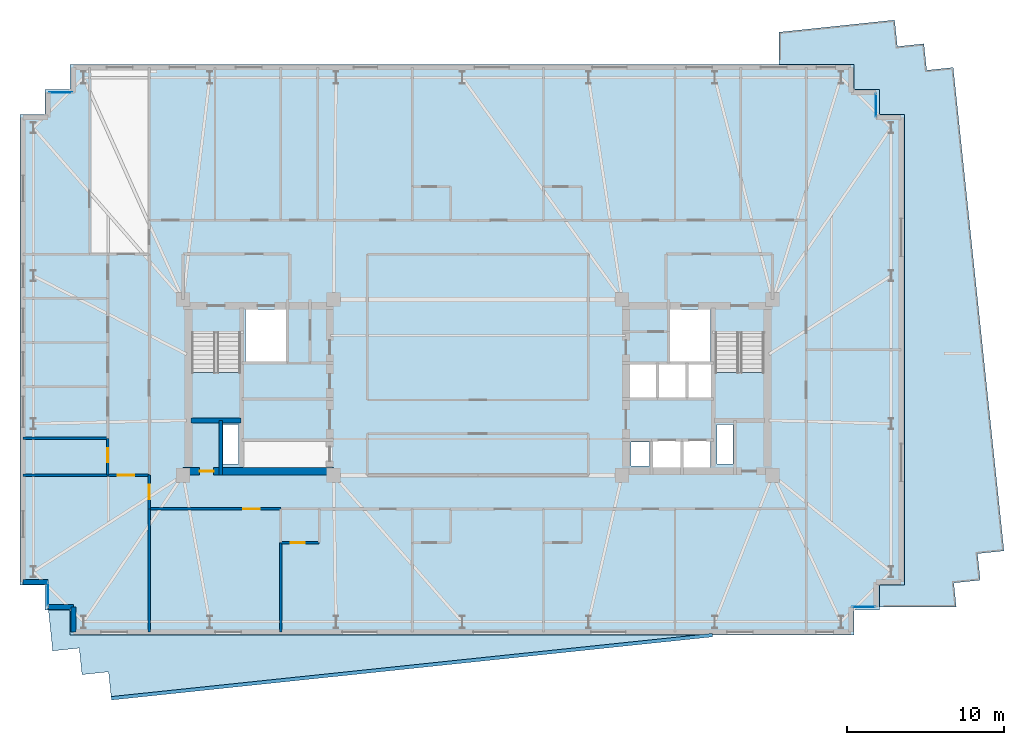
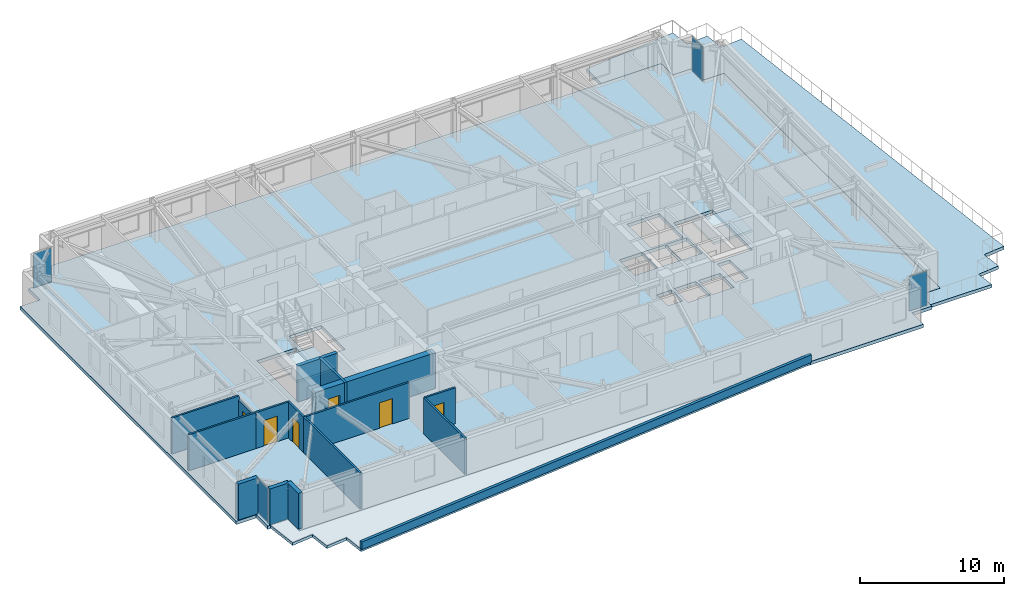
# One storey, part 10 of 19: 16 walls, 6 doors, 5 slabs, 4 plates, 6 openings, 6 elements without a shape of their own.
"""IFC4 building model written with IfcOpenShell, lengths in metres."""

import ifcopenshell
import ifcopenshell.guid

model = None  # the IFC model being written
_history = None  # IfcOwnerHistory: only IFC2X3 demands one
_inside = {}  # id of a spatial element -> (the spatial element, [elements in it])
_under = {}  # id of a project, library or spatial element -> (it, [spatial elements below it])
_declared = {}  # id of a project -> (the project, [libraries it declares])
_typed = {}  # id of a type object -> (the type object, [elements of that type])
_made_of = {}  # id of a material, layer set ... -> (it, [elements and type objects made of it])


def new_model(schema):
    """Start an empty IFC model of exactly this schema.

    Asked for "IFC4X3", IfcOpenShell would pick the latest addendum, in which some entities
    have other attributes; the version numbers below select the first issue.
    IFC2X3 requires an IfcOwnerHistory on every rooted entity: one is made here for all.
    """
    global model, _history
    if schema == "IFC4X3":
        model = ifcopenshell.file(schema_version=(4, 3, 0, 0))
    else:
        model = ifcopenshell.file(schema=schema)
    _inside.clear()
    _under.clear()
    _declared.clear()
    _typed.clear()
    _made_of.clear()
    _history = None
    if model.schema == "IFC2X3":
        org = make("IfcOrganization", Name="unknown")
        user = make(
            "IfcPersonAndOrganization",
            ThePerson=make("IfcPerson", FamilyName="unknown"),
            TheOrganization=org,
        )
        app = make(
            "IfcApplication",
            ApplicationDeveloper=org,
            Version="unknown",
            ApplicationFullName="unknown",
            ApplicationIdentifier="unknown",
        )
        _history = make(
            "IfcOwnerHistory",
            OwningUser=user,
            OwningApplication=app,
            ChangeAction="ADDED",
            CreationDate=0,
        )
    return model


def make(cls, **values):
    """One entity of the class cls with the attributes given. An attribute that is None is left unset."""
    return model.create_entity(
        cls, **{name: value for name, value in values.items() if value is not None}
    )


def rooted(cls, **values):
    """An entity with a GlobalId (a new one), such as an element, a storey or a relation."""
    return make(cls, GlobalId=ifcopenshell.guid.new(), OwnerHistory=_history, **values)


def si_unit(unit_type, name, prefix=None):
    """IfcSIUnit, for example si_unit("LENGTHUNIT", "METRE", prefix="MILLI")."""
    return make("IfcSIUnit", UnitType=unit_type, Prefix=prefix, Name=name)


def assignment(units):
    """IfcUnitAssignment: the units of a project."""
    return None if units is None else make("IfcUnitAssignment", Units=units)


def point(xyz):
    """IfcCartesianPoint."""
    return None if xyz is None else make("IfcCartesianPoint", Coordinates=xyz)


def direction(xyz):
    """IfcDirection."""
    return None if xyz is None else make("IfcDirection", DirectionRatios=xyz)


def frame(location, z_axis=None, x_axis=None):
    """IfcAxis2Placement3D, a coordinate frame: its origin and axes. An axis left out is left unset."""
    return make(
        "IfcAxis2Placement3D",
        Location=point(location),
        Axis=direction(z_axis),
        RefDirection=direction(x_axis),
    )


def frame_2d(location, x_axis=None):
    """IfcAxis2Placement2D, a coordinate frame in the plane: its origin and x axis."""
    return make(
        "IfcAxis2Placement2D", Location=point(location), RefDirection=direction(x_axis)
    )


def origin():
    """The frame at (0, 0, 0) with its axes left unset."""
    return frame((0.0, 0.0, 0.0))


def origin_2d():
    """The frame at (0, 0) in the plane with its x axis left unset."""
    return frame_2d((0.0, 0.0))


def place(relative_to, where):
    """IfcLocalPlacement: puts the frame where relative to a parent placement (None: the world)."""
    return make(
        "IfcLocalPlacement", PlacementRelTo=relative_to, RelativePlacement=where
    )


def context(
    kind, dimensions, precision=None, world=None, true_north=None, identifier=None
):
    """IfcGeometricRepresentationContext, for example the 3D "Model" context."""
    return make(
        "IfcGeometricRepresentationContext",
        ContextIdentifier=identifier,
        ContextType=kind,
        CoordinateSpaceDimension=dimensions,
        Precision=precision,
        WorldCoordinateSystem=world,
        TrueNorth=true_north,
    )


def subcontext(parent, identifier, kind, view, scale=None):
    """IfcGeometricRepresentationSubContext, for example "Body" below "Model"."""
    return make(
        "IfcGeometricRepresentationSubContext",
        ContextIdentifier=identifier,
        ContextType=kind,
        ParentContext=parent,
        TargetScale=scale,
        TargetView=view,
    )


def project(units=None, contexts=None):
    """IfcProject with its units and contexts."""
    return rooted(
        "IfcProject",
        Name="project",
        RepresentationContexts=contexts,
        UnitsInContext=assignment(units),
    )


def spatial(cls, under=None, at=None, **own):
    """A site, building, storey or space (cls), placed at a placement, below another one or the project."""
    s = rooted(cls, ObjectPlacement=at, **own)
    if under is not None:
        _under.setdefault(under.id(), (under, []))[1].append(s)
    return s


def polyline(points):
    """IfcPolyline through the points."""
    return make("IfcPolyline", Points=[point(p) for p in points])


def profile(cls, at=None, kind="AREA", **sizes):
    """A parametric profile (cls). Its sizes go by their IFC names, for example OverallWidth=200.0."""
    return make(cls, ProfileType=kind, Position=at, **sizes)


def rectangle(**sizes):
    """IfcRectangleProfileDef."""
    return profile("IfcRectangleProfileDef", **sizes)


def outline(outer, holes=None, kind="AREA"):
    """IfcArbitraryClosedProfileDef: a profile drawn as a closed curve; with holes, ...WithVoids."""
    if holes is None:
        return make("IfcArbitraryClosedProfileDef", ProfileType=kind, OuterCurve=outer)
    return make(
        "IfcArbitraryProfileDefWithVoids",
        ProfileType=kind,
        OuterCurve=outer,
        InnerCurves=holes,
    )


def extrude(swept, where, along, depth):
    """IfcExtrudedAreaSolid: the profile swept, set in the frame where, extruded along a direction by depth."""
    return make(
        "IfcExtrudedAreaSolid",
        SweptArea=swept,
        Position=where,
        ExtrudedDirection=direction(along),
        Depth=depth,
    )


def shape(context_of_items, identifier, shape_type, items):
    """IfcShapeRepresentation: the items that make up one representation, for example the "Body"."""
    return make(
        "IfcShapeRepresentation",
        ContextOfItems=context_of_items,
        RepresentationIdentifier=identifier,
        RepresentationType=shape_type,
        Items=items,
    )


def material(Name=None, Category=None):
    """IfcMaterial."""
    return make("IfcMaterial", Name=Name, Category=Category)


def layer(
    of_material, thickness, ventilated=None, Name=None, Category=None, Priority=None
):
    """IfcMaterialLayer: one layer of a wall or slab, of a material (None: an air gap)."""
    return make(
        "IfcMaterialLayer",
        Material=of_material,
        LayerThickness=thickness,
        IsVentilated=ventilated,
        Name=Name,
        Category=Category,
        Priority=Priority,
    )


def layer_set(layers, Name=None):
    """IfcMaterialLayerSet."""
    return make("IfcMaterialLayerSet", MaterialLayers=layers, LayerSetName=Name)


def made_of(thing, what):
    """Note that an element or type object is made of a material, layer set ...; save() writes the relation."""
    if what is not None:
        _made_of.setdefault(what.id(), (what, []))[1].append(thing)
    return thing


def type_object(cls, material=None, **own):
    """A type object (cls), such as IfcWallType, which elements share."""
    return made_of(rooted(cls, **own), material)


def element(
    cls,
    number,
    at=None,
    inside=None,
    cuts=None,
    type_object=None,
    material=None,
    context=None,
    identifier="Body",
    shape_type=None,
    held_by="IfcProductDefinitionShape",
    body=None,
    shapes=None,
    **own,
):
    """One element of the class cls, such as IfcWall. Its Tag is "e" and its number.

    at: its placement. inside: the storey or other place that contains it. cuts: it is an
    opening in that element (IfcRelVoidsElement). A single representation is given by context,
    identifier, shape_type and body (its items); several are given by shapes. held_by: the class
    of the entity that holds the representations. save() writes the other relations.
    """
    e = rooted(cls, Tag="e%d" % number, ObjectPlacement=at, **own)
    if body is not None:
        shapes = [shape(context, identifier, shape_type, body)]
    if shapes is not None:
        e.Representation = make(held_by, Representations=shapes)
    if inside is not None:
        _inside.setdefault(inside.id(), (inside, []))[1].append(e)
    if cuts is not None:
        rooted(
            "IfcRelVoidsElement", RelatingBuildingElement=cuts, RelatedOpeningElement=e
        )
    if type_object is not None:
        _typed.setdefault(type_object.id(), (type_object, []))[1].append(e)
    return made_of(e, material)


def fill(opening, filler):
    """IfcRelFillsElement: the door or window that sits in an opening."""
    return rooted(
        "IfcRelFillsElement",
        RelatingOpeningElement=opening,
        RelatedBuildingElement=filler,
    )


def aggregate(whole, parts):
    """IfcRelAggregates: a whole, such as a stair, and the parts it consists of."""
    return rooted("IfcRelAggregates", RelatingObject=whole, RelatedObjects=parts)


def save(model, path):
    """Write the relations noted so far, then the file.

    IfcRelAggregates (storeys below a building ...), IfcRelContainedInSpatialStructure (elements
    in a storey), IfcRelDefinesByType, IfcRelAssociatesMaterial and IfcRelDeclares: one each for
    every whole, place, type object, material and project.
    """
    for whole, parts in _under.values():
        aggregate(whole, parts)
    for where, things in _inside.values():
        rooted(
            "IfcRelContainedInSpatialStructure",
            RelatedElements=things,
            RelatingStructure=where,
        )
    for kind, things in _typed.values():
        rooted("IfcRelDefinesByType", RelatedObjects=things, RelatingType=kind)
    for what, things in _made_of.values():
        rooted("IfcRelAssociatesMaterial", RelatedObjects=things, RelatingMaterial=what)
    for by, libraries in _declared.values():
        rooted("IfcRelDeclares", RelatingContext=by, RelatedDefinitions=libraries)
    model.write(path)


model = new_model("IFC4")

# Units and contexts
model_context = context("Model", 3, precision=1e-05, world=origin(), true_north=direction((0.0, 1.0)))
body_context = subcontext(model_context, "Body", "Model", "MODEL_VIEW")
ifc_project = project(units=[si_unit("LENGTHUNIT", "METRE"), si_unit("AREAUNIT", "SQUARE_METRE"), si_unit("VOLUMEUNIT", "CUBIC_METRE"), si_unit("PLANEANGLEUNIT", "RADIAN"), si_unit("MASSUNIT", "GRAM", prefix="KILO")], contexts=[model_context])

# Site, building, storey
site_placement = place(None, origin())
site = spatial("IfcSite", under=ifc_project, at=site_placement, CompositionType="ELEMENT")
building_placement = place(site_placement, origin())
building = spatial("IfcBuilding", under=site, at=building_placement, Name="Qobustan Lattice House", CompositionType="ELEMENT")
storey_placement = place(building_placement, frame((0.0, 0.0, 131.0)))
storey = spatial("IfcBuildingStorey", under=building, at=storey_placement, Name="L36", CompositionType="ELEMENT", Elevation=131.0)

# Curtain wall, plate
ifc_material_1 = material(Name="Anodised aluminium and low-E glazing", Category="aluminium")
ifc_layer_1 = layer(ifc_material_1, 0.219970703125)
ifc_layer_set_1 = layer_set([ifc_layer_1], Name="Anodised aluminium and low-E glazing")
curtain_wall_type = type_object("IfcCurtainWallType", Name="CW-FAC-02", PredefinedType="USERDEFINED", material=ifc_layer_set_1)
curtain_wall_1_placement = place(storey_placement, origin())
curtain_wall_1 = element("IfcCurtainWall", 1, at=curtain_wall_1_placement, inside=storey, type_object=curtain_wall_type, Name="L36 serrated corner faceted glazing 3", ObjectType="CURTAIN WALL", PredefinedType="USERDEFINED")
ifc_material_2 = material(Name="Clear low-E laminated glass", Category="glass")
ifc_layer_2 = layer(ifc_material_2, 0.031982421875)
ifc_layer_set_2 = layer_set([ifc_layer_2], Name="Clear low-E laminated glass")
plate_type = type_object("IfcPlateType", Name="CWP-VISION-32", PredefinedType="CURTAIN_PANEL", material=ifc_layer_set_2)
plate_1_placement = place(storey_placement, frame((-27.39990234375, -13.199951171875, 0.06494140625), z_axis=(0.0, 0.0, 1.0), x_axis=(0.0, 1.0, 0.0)))
plate_1 = element("IfcPlate", 2, at=plate_1_placement, type_object=plate_type, Name="CW-F2 panel 1.1", PredefinedType="CURTAIN_PANEL", context=body_context, shape_type="SweptSolid", body=[
    extrude(rectangle(XDim=1.4599609375, YDim=0.031982421875, at=origin_2d()), origin(), (0.0, 0.0, 1.0), 2.909912109375),
])
aggregate(curtain_wall_1, [plate_1])

curtain_wall_2_placement = place(storey_placement, origin())
curtain_wall_2 = element("IfcCurtainWall", 3, at=curtain_wall_2_placement, inside=storey, type_object=curtain_wall_type, Name="L36 serrated corner faceted glazing 8", ObjectType="CURTAIN WALL", PredefinedType="USERDEFINED")
plate_2_placement = place(storey_placement, frame((-26.60009765625, 18.800048828125, 0.06494140625), z_axis=(0.0, 0.0, 1.0), x_axis=(1.0, 0.0, 0.0)))
plate_2 = element("IfcPlate", 4, at=plate_2_placement, type_object=plate_type, Name="CW-F2 panel 1.1", PredefinedType="CURTAIN_PANEL", context=body_context, shape_type="SweptSolid", body=[
    extrude(rectangle(XDim=1.4599609375, YDim=0.031982421875, at=origin_2d()), origin(), (0.0, 0.0, 1.0), 2.909912109375),
])
aggregate(curtain_wall_2, [plate_2])

curtain_wall_3_placement = place(storey_placement, origin())
curtain_wall_3 = element("IfcCurtainWall", 5, at=curtain_wall_3_placement, inside=storey, type_object=curtain_wall_type, Name="L36 serrated corner faceted glazing 13", ObjectType="CURTAIN WALL", PredefinedType="USERDEFINED")
plate_3_placement = place(storey_placement, frame((25.39990234375, 18.0, 0.06494140625), z_axis=(0.0, 0.0, 1.0), x_axis=(0.0, -1.0, 0.0)))
plate_3 = element("IfcPlate", 6, at=plate_3_placement, type_object=plate_type, Name="CW-F2 panel 1.1", PredefinedType="CURTAIN_PANEL", context=body_context, shape_type="SweptSolid", body=[
    extrude(rectangle(XDim=1.4599609375, YDim=0.031982421875, at=origin_2d()), origin(), (0.0, 0.0, 1.0), 2.909912109375),
])
aggregate(curtain_wall_3, [plate_3])

curtain_wall_4_placement = place(storey_placement, origin())
curtain_wall_4 = element("IfcCurtainWall", 7, at=curtain_wall_4_placement, inside=storey, type_object=curtain_wall_type, Name="L36 serrated corner faceted glazing 18", ObjectType="CURTAIN WALL", PredefinedType="USERDEFINED")
plate_4_placement = place(storey_placement, frame((24.60009765625, -14.0, 0.06494140625), z_axis=(0.0, 0.0, 1.0), x_axis=(-1.0, 0.0, 0.0)))
plate_4 = element("IfcPlate", 8, at=plate_4_placement, type_object=plate_type, Name="CW-F2 panel 1.1", PredefinedType="CURTAIN_PANEL", context=body_context, shape_type="SweptSolid", body=[
    extrude(rectangle(XDim=1.4599609375, YDim=0.031982421875, at=origin_2d()), origin(), (0.0, 0.0, 1.0), 2.909912109375),
])
aggregate(curtain_wall_4, [plate_4])

# Slab
ifc_material_3 = material(Name="Concrete C45/55", Category="concrete")
ifc_layer_3 = layer(ifc_material_3, 0.280029296875)
ifc_layer_set_3 = layer_set([ifc_layer_3], Name="Concrete C45/55")
slab_type_1 = type_object("IfcSlabType", Name="SLB-FLR-280", PredefinedType="FLOOR", material=ifc_layer_set_3)
slab_1_placement = place(storey_placement, frame((0.0, 0.0, -0.280029296875)))
element("IfcSlab", 9, at=slab_1_placement, inside=storey, type_object=slab_type_1, Name="L36 structural floor slab", PredefinedType="FLOOR", context=body_context, shape_type="SweptSolid", body=[
    extrude(outline(polyline([(-26.0, -15.800048828125), (24.0, -15.800048828125), (24.0, -14.199951171875), (25.60009765625, -14.199951171875), (25.60009765625, -12.60009765625), (27.199951171875, -12.60009765625), (27.199951171875, 17.39990234375), (25.60009765625, 17.39990234375), (25.60009765625, 19.0), (24.0, 19.0), (24.0, 20.60009765625), (-26.0, 20.60009765625), (-26.0, 19.0), (-27.60009765625, 19.0), (-27.60009765625, 17.39990234375), (-29.199951171875, 17.39990234375), (-29.199951171875, -12.60009765625), (-27.60009765625, -12.60009765625), (-27.60009765625, -14.199951171875), (-26.0, -14.199951171875), (-26.0, -15.800048828125)]), holes=[polyline([(-18.25, -2.050048828125), (-18.25, 3.489990234375), (-15.1298828125, 3.489990234375), (-15.1298828125, -2.050048828125), (-18.25, -2.050048828125)]), polyline([(15.1298828125, -2.050048828125), (15.1298828125, 3.489990234375), (18.25, 3.489990234375), (18.25, -2.050048828125), (15.1298828125, -2.050048828125)]), polyline([(-14.820068359375, 1.64990234375), (-14.820068359375, 4.9599609375), (-12.25, 4.9599609375), (-12.25, 1.64990234375), (-14.820068359375, 1.64990234375)]), polyline([(12.25, 1.64990234375), (12.25, 4.9599609375), (14.820068359375, 4.9599609375), (14.820068359375, 1.64990234375), (12.25, 1.64990234375)]), polyline([(-16.260009765625, -4.8798828125), (-16.260009765625, -2.360107421875), (-15.260009765625, -2.360107421875), (-15.260009765625, -4.8798828125), (-16.260009765625, -4.8798828125)]), polyline([(15.260009765625, -4.8798828125), (15.260009765625, -2.360107421875), (16.260009765625, -2.360107421875), (16.260009765625, -4.8798828125), (15.260009765625, -4.8798828125)]), polyline([(11.179931640625, -5.35009765625), (11.179931640625, -3.419921875), (12.919921875, -3.419921875), (12.919921875, -5.35009765625), (11.179931640625, -5.35009765625)]), polyline([(13.1201171875, -5.35009765625), (13.1201171875, -3.419921875), (14.85009765625, -3.419921875), (14.85009765625, -5.35009765625), (13.1201171875, -5.35009765625)]), polyline([(9.760009765625, -5.0), (9.760009765625, -3.47998046875), (10.93994140625, -3.47998046875), (10.93994140625, -5.0), (9.760009765625, -5.0)]), polyline([(13.360107421875, -0.679931640625), (13.360107421875, 1.47998046875), (14.97998046875, 1.47998046875), (14.97998046875, -0.679931640625), (13.360107421875, -0.679931640625)]), polyline([(9.6201171875, -0.679931640625), (9.6201171875, 1.47998046875), (11.43994140625, 1.47998046875), (11.43994140625, -0.679931640625), (9.6201171875, -0.679931640625)]), polyline([(11.5, -0.679931640625), (11.5, 1.47998046875), (13.320068359375, 1.47998046875), (13.320068359375, -0.679931640625), (11.5, -0.679931640625)])]), origin(), (0.0, 0.0, 1.0), 0.280029296875),
])

# Stair, slab
ifc_material_4 = material(Name="Concrete C40/50", Category="concrete")
stair_type = type_object("IfcStairType", Name="STR-CORE-DOGLEG", PredefinedType="HALF_TURN_STAIR", material=ifc_material_4)
stair_1_placement = place(storey_placement, origin())
stair_1 = element("IfcStair", 10, at=stair_1_placement, inside=storey, type_object=stair_type, Name="L36 West protected exit stair ST-W1", PredefinedType="HALF_TURN_STAIR")
ifc_material_5 = material(Name="Concrete C40/50", Category="concrete")
ifc_layer_4 = layer(ifc_material_5, 0.199951171875)
ifc_layer_set_4 = layer_set([ifc_layer_4], Name="Concrete C40/50")
slab_type_2 = type_object("IfcSlabType", Name="SLB-LANDING-200", PredefinedType="LANDING", material=ifc_layer_set_4)
slab_2_placement = place(storey_placement, frame((0.0, 0.0, 1.47509765625)))
slab_2 = element("IfcSlab", 11, at=slab_2_placement, type_object=slab_type_2, Name="ST-W1 landing 1", PredefinedType="LANDING", context=body_context, shape_type="SweptSolid", body=[
    extrude(outline(polyline([(-18.25, 0.93505859375), (-18.25, -2.050048828125), (-15.1298828125, -2.050048828125), (-15.1298828125, 0.93505859375), (-18.25, 0.93505859375)])), origin(), (0.0, 0.0, 1.0), 0.199951171875),
])
aggregate(stair_1, [slab_2])

stair_2_placement = place(storey_placement, origin())
stair_2 = element("IfcStair", 12, at=stair_2_placement, inside=storey, type_object=stair_type, Name="L36 East protected exit stair ST-E1", PredefinedType="HALF_TURN_STAIR")
slab_3_placement = place(storey_placement, frame((0.0, 0.0, 1.47509765625)))
slab_3 = element("IfcSlab", 13, at=slab_3_placement, type_object=slab_type_2, Name="ST-E1 landing 1", PredefinedType="LANDING", context=body_context, shape_type="SweptSolid", body=[
    extrude(outline(polyline([(15.1298828125, 0.93505859375), (15.1298828125, -2.050048828125), (18.25, -2.050048828125), (18.25, 0.93505859375), (15.1298828125, 0.93505859375)])), origin(), (0.0, 0.0, 1.0), 0.199951171875),
])
aggregate(stair_2, [slab_3])

# Slabs
ifc_material_6 = material(Name="Concrete C40/50", Category="concrete")
ifc_layer_5 = layer(ifc_material_6, 0.239990234375)
ifc_layer_set_5 = layer_set([ifc_layer_5], Name="Concrete C40/50")
slab_type_3 = type_object("IfcSlabType", Name="SLB-ROOF-240", PredefinedType="ROOF", material=ifc_layer_set_5)
slab_4_placement = place(storey_placement, frame((0.0, 0.0, -0.239990234375)))
element("IfcSlab", 14, at=slab_4_placement, inside=storey, type_object=slab_type_3, Name="L36 setback maintenance roof slab 1", PredefinedType="ROOF", context=body_context, shape_type="SweptSolid", body=[
    extrude(outline(polyline([(-23.3759765625, -19.8291015625), (14.958984375, -15.800048828125), (-26.0, -15.800048828125), (-26.0, -14.199951171875), (-27.38623046875, -14.199951171875), (-27.11279296875, -16.80322265625), (-25.422119140625, -16.62548828125), (-25.244384765625, -18.316162109375), (-23.5537109375, -18.138427734375), (-23.3759765625, -19.8291015625)])), origin(), (0.0, 0.0, 1.0), 0.239990234375),
])
ifc_material_7 = material(Name="Concrete C40/50", Category="concrete")
ifc_layer_6 = layer(ifc_material_7, 0.27001953125)
ifc_layer_set_6 = layer_set([ifc_layer_6], Name="Concrete C40/50")
slab_type_4 = type_object("IfcSlabType", Name="SLB-TER-270", PredefinedType="FLOOR", material=ifc_layer_set_6)
slab_5_placement = place(storey_placement, frame((0.0, 0.0, -0.27001953125)))
element("IfcSlab", 15, at=slab_5_placement, inside=storey, type_object=slab_type_4, Name="L36 SE planted spiral terrace slab", PredefinedType="FLOOR", context=body_context, shape_type="SweptSolid", body=[
    extrude(outline(polyline([(26.575927734375, 23.42919921875), (19.199951171875, 22.65380859375), (19.199951171875, 20.60009765625), (24.0, 20.60009765625), (24.0, 19.0), (25.60009765625, 19.0), (25.60009765625, 17.39990234375), (27.199951171875, 17.39990234375), (27.199951171875, -12.60009765625), (25.60009765625, -12.60009765625), (25.60009765625, -14.0), (30.510009765625, -14.0), (30.349365234375, -12.47314453125), (32.0400390625, -12.29541015625), (31.8623046875, -10.604736328125), (33.552978515625, -10.427001953125), (30.312744140625, 20.4033203125), (28.6220703125, 20.2255859375), (28.4443359375, 21.916259765625), (26.753662109375, 21.738525390625), (26.575927734375, 23.42919921875)])), origin(), (0.0, 0.0, 1.0), 0.27001953125),
])

# Wall, opening, door
ifc_material_8 = material(Name="Concrete C50/60", Category="concrete")
ifc_layer_7 = layer(ifc_material_8, 0.5)
ifc_layer_set_7 = layer_set([ifc_layer_7], Name="Concrete C50/60")
wall_type_1 = type_object("IfcWallType", Name="WAL-CORE-500", PredefinedType="SHEAR", material=ifc_layer_set_7)
wall_1_placement = place(storey_placement, frame((-18.800048828125, -5.35009765625, 0.0), z_axis=(0.0, 0.0, 1.0), x_axis=(1.0, 0.0, 0.0)))
wall_1 = element("IfcWall", 16, at=wall_1_placement, inside=storey, type_object=wall_type_1, Name="L36 split-core shear wall CW-S", PredefinedType="SHEAR", context=body_context, shape_type="SweptSolid", body=[
    extrude(rectangle(XDim=9.60009765625, YDim=0.5, at=frame_2d((4.800048828125, 0.0))), origin(), (0.0, 0.0, 1.0), 3.0400390625),
])
opening_1_placement = place(wall_1_placement, frame((1.050048828125, 0.0, 0.0)))
opening_1 = element("IfcOpeningElement", 17, at=opening_1_placement, cuts=wall_1, Name="Opening RD-01", PredefinedType="OPENING", context=body_context, shape_type="SweptSolid", body=[
    extrude(rectangle(XDim=0.89990234375, YDim=2.10009765625, at=frame_2d((0.449951171875, 1.050048828125))), frame((0.0, 0.260009765625, 0.0), z_axis=(0.0, -1.0, 0.0), x_axis=(1.0, 0.0, 0.0)), (0.0, 0.0, 1.0), 0.52001953125),
])
ifc_material_9 = material(Name="Persian walnut timber and steel frame door", Category="steel")
door_type_1 = type_object("IfcDoorType", Name="DOR-RISER-FD-900x2100", OperationType="NOTDEFINED", PredefinedType="DOOR", material=ifc_material_9)
door_1_placement = place(opening_1_placement, origin())
door_1 = element("IfcDoor", 18, at=door_1_placement, inside=storey, type_object=door_type_1, Name="L36 core service riser access door W", OperationType="SINGLE_SWING_RIGHT", OverallHeight=2.10009765625, OverallWidth=0.89990234375, PredefinedType="DOOR", context=body_context, shape_type="SweptSolid", body=[
    extrude(rectangle(XDim=0.89990234375, YDim=2.10009765625, at=frame_2d((0.449951171875, 1.050048828125))), frame((0.0, 0.02490234375, 0.0), z_axis=(0.0, -1.0, 0.0), x_axis=(1.0, 0.0, 0.0)), (0.0, 0.0, 1.0), 0.050048828125),
])
fill(opening_1, door_1)

# Walls
ifc_material_10 = material(Name="Concrete C50/60", Category="concrete")
ifc_layer_8 = layer(ifc_material_10, 0.280029296875)
ifc_layer_set_8 = layer_set([ifc_layer_8], Name="Concrete C50/60")
wall_type_2 = type_object("IfcWallType", Name="WAL-CORE-SPINE-280", PredefinedType="SHEAR", material=ifc_layer_set_8)
wall_2_placement = place(storey_placement, frame((-18.280029296875, -2.110107421875, 0.0), z_axis=(0.0, 0.0, 1.0), x_axis=(1.0, 0.0, 0.0)))
element("IfcWall", 19, at=wall_2_placement, inside=storey, type_object=wall_type_2, Name="L36 split-core shear wall CW-ST", PredefinedType="SHEAR", context=body_context, shape_type="SweptSolid", body=[
    extrude(rectangle(XDim=3.179931640625, YDim=0.300048828125, at=frame_2d((1.58984375, 0.0))), origin(), (0.0, 0.0, 1.0), 3.0400390625),
])
ifc_material_11 = material(Name="Precast concrete C40/50", Category="concrete")
ifc_layer_9 = layer(ifc_material_11, 0.320068359375)
ifc_layer_set_9 = layer_set([ifc_layer_9], Name="Precast concrete C40/50")
wall_type_3 = type_object("IfcWallType", Name="WAL-EXT-STONE-320", PredefinedType="SOLIDWALL", material=ifc_layer_set_9)
wall_3_placement = place(storey_placement, frame((-25.800048828125, -15.60009765625, 0.0), z_axis=(0.0, 0.0, 1.0), x_axis=(0.0, 1.0, 0.0)))
element("IfcWall", 20, at=wall_3_placement, inside=storey, type_object=wall_type_3, Name="L36 exterior limestone-clad wall 1", PredefinedType="SOLIDWALL", context=body_context, shape_type="SweptSolid", body=[
    extrude(rectangle(XDim=1.60009765625, YDim=0.320068359375, at=frame_2d((0.800048828125, 0.0))), origin(), (0.0, 0.0, 1.0), 3.0400390625),
])
wall_4_placement = place(storey_placement, frame((-25.800048828125, -14.0, 0.0), z_axis=(0.0, 0.0, 1.0), x_axis=(-1.0, 0.0, 0.0)))
element("IfcWall", 21, at=wall_4_placement, inside=storey, type_object=wall_type_3, Name="L36 exterior limestone-clad wall 2", PredefinedType="SOLIDWALL", context=body_context, shape_type="SweptSolid", body=[
    extrude(rectangle(XDim=1.599853515625, YDim=0.320068359375, at=frame_2d((0.7998046875, 0.0))), origin(), (0.0, 0.0, 1.0), 3.0400390625),
])
wall_5_placement = place(storey_placement, frame((-27.39990234375, -12.39990234375, 0.0), z_axis=(0.0, 0.0, 1.0), x_axis=(-1.0, 0.0, 0.0)))
element("IfcWall", 22, at=wall_5_placement, inside=storey, type_object=wall_type_3, Name="L36 exterior limestone-clad wall 4", PredefinedType="SOLIDWALL", context=body_context, shape_type="SweptSolid", body=[
    extrude(rectangle(XDim=1.60009765625, YDim=0.320068359375, at=frame_2d((0.800048828125, 0.0))), origin(), (0.0, 0.0, 1.0), 3.0400390625),
])
ifc_material_12 = material(Name="Precast concrete C40/50", Category="concrete")
ifc_layer_10 = layer(ifc_material_12, 0.219970703125)
ifc_layer_set_10 = layer_set([ifc_layer_10], Name="Precast concrete C40/50")
wall_type_4 = type_object("IfcWallType", Name="WAL-PARAPET-220", PredefinedType="PARAPET", material=ifc_layer_set_10)
wall_6_placement = place(storey_placement, frame((-23.3759765625, -19.8291015625, 0.0), z_axis=(0.0, 0.0, 1.0), x_axis=(0.994522202864, 0.104525537599, 0.0)))
element("IfcWall", 23, at=wall_6_placement, inside=storey, type_object=wall_type_4, Name="L36 maintenance roof parapet 1", PredefinedType="PARAPET", context=body_context, shape_type="SweptSolid", body=[
    extrude(rectangle(XDim=38.546142578125, YDim=0.219970703125, at=frame_2d((19.27294921875, 0.0))), origin(), (0.0, 0.0, 1.0), 0.64990234375),
])

# Wall, opening, door
ifc_material_13 = material(Name="Acoustic twin-stud gypsum partition", Category="gypsum")
ifc_layer_11 = layer(ifc_material_13, 0.14990234375)
ifc_layer_set_11 = layer_set([ifc_layer_11], Name="Acoustic twin-stud gypsum partition")
wall_type_5 = type_object("IfcWallType", Name="WAL-PART-150", PredefinedType="PARTITIONING", material=ifc_layer_set_11)
wall_7_placement = place(storey_placement, frame((-20.949951171875, -7.75, 0.0), z_axis=(0.0, 0.0, 1.0), x_axis=(0.0, 1.0, 0.0)))
wall_7 = element("IfcWall", 24, at=wall_7_placement, inside=storey, type_object=wall_type_5, Name="L36 interior partition 49", PredefinedType="PARTITIONING", context=body_context, shape_type="SweptSolid", body=[
    extrude(rectangle(XDim=2.14990234375, YDim=0.14990234375, at=frame_2d((1.074951171875, 0.0))), origin(), (0.0, 0.0, 1.0), 3.0400390625),
])
opening_2_placement = place(wall_7_placement, frame((0.625, 0.0, 0.0)))
opening_2 = element("IfcOpeningElement", 25, at=opening_2_placement, cuts=wall_7, Name="Opening WD-01", PredefinedType="OPENING", context=body_context, shape_type="SweptSolid", body=[
    extrude(rectangle(XDim=0.89990234375, YDim=2.10009765625, at=frame_2d((0.449951171875, 1.050048828125))), frame((0.0, 0.0849609375, 0.0), z_axis=(0.0, -1.0, 0.0), x_axis=(1.0, 0.0, 0.0)), (0.0, 0.0, 1.0), 0.169921875),
])
ifc_material_14 = material(Name="Persian walnut timber and steel frame door", Category="steel")
door_type_2 = type_object("IfcDoorType", Name="DOR-WET-900x2100", OperationType="NOTDEFINED", PredefinedType="DOOR", material=ifc_material_14)
door_2_placement = place(opening_2_placement, origin())
door_2 = element("IfcDoor", 26, at=door_2_placement, inside=storey, type_object=door_type_2, Name="L36 South-west floor corridor to Reading study room L36WS door", OperationType="SINGLE_SWING_LEFT", OverallHeight=2.10009765625, OverallWidth=0.89990234375, PredefinedType="DOOR", context=body_context, shape_type="SweptSolid", body=[
    extrude(rectangle(XDim=0.89990234375, YDim=2.10009765625, at=frame_2d((0.449951171875, 1.050048828125))), frame((0.0, 0.02490234375, 0.0), z_axis=(0.0, -1.0, 0.0), x_axis=(1.0, 0.0, 0.0)), (0.0, 0.0, 1.0), 0.050048828125),
])
fill(opening_2, door_2)

wall_8_placement = place(storey_placement, frame((-12.570068359375, -7.75, 0.0), z_axis=(0.0, 0.0, 1.0), x_axis=(-1.0, 0.0, 0.0)))
wall_8 = element("IfcWall", 27, at=wall_8_placement, inside=storey, type_object=wall_type_5, Name="L36 interior partition 50", PredefinedType="PARTITIONING", context=body_context, shape_type="SweptSolid", body=[
    extrude(rectangle(XDim=8.3798828125, YDim=0.14990234375, at=frame_2d((4.18994140625, 0.0))), origin(), (0.0, 0.0, 1.0), 3.0400390625),
])
opening_3_placement = place(wall_8_placement, frame((1.351318359375, 0.0, 0.0)))
opening_3 = element("IfcOpeningElement", 28, at=opening_3_placement, cuts=wall_8, Name="Opening ID-02", PredefinedType="OPENING", context=body_context, shape_type="SweptSolid", body=[
    extrude(rectangle(XDim=1.050048828125, YDim=2.14990234375, at=frame_2d((0.52490234375, 1.074951171875))), frame((0.0, 0.0849609375, 0.0), z_axis=(0.0, -1.0, 0.0), x_axis=(1.0, 0.0, 0.0)), (0.0, 0.0, 1.0), 0.169921875),
])
ifc_material_15 = material(Name="Persian walnut timber and steel frame door", Category="steel")
door_type_3 = type_object("IfcDoorType", Name="DOR-STUDY-1050x2150", OperationType="NOTDEFINED", PredefinedType="DOOR", material=ifc_material_15)
door_3_placement = place(opening_3_placement, origin())
door_3 = element("IfcDoor", 29, at=door_3_placement, inside=storey, type_object=door_type_3, Name="L36 South-west floor corridor to Focus study room S1 door", OperationType="SINGLE_SWING_RIGHT", OverallHeight=2.14990234375, OverallWidth=1.050048828125, PredefinedType="DOOR", context=body_context, shape_type="SweptSolid", body=[
    extrude(rectangle(XDim=1.050048828125, YDim=2.14990234375, at=frame_2d((0.52490234375, 1.074951171875))), frame((0.0, 0.02490234375, 0.0), z_axis=(0.0, -1.0, 0.0), x_axis=(1.0, 0.0, 0.0)), (0.0, 0.0, 1.0), 0.050048828125),
])
fill(opening_3, door_3)

wall_9_placement = place(storey_placement, frame((-20.949951171875, -5.60009765625, 0.0), z_axis=(0.0, 0.0, 1.0), x_axis=(-1.0, 0.0, 0.0)))
wall_9 = element("IfcWall", 30, at=wall_9_placement, inside=storey, type_object=wall_type_5, Name="L36 interior partition 72", PredefinedType="PARTITIONING", context=body_context, shape_type="SweptSolid", body=[
    extrude(rectangle(XDim=2.650146484375, YDim=0.14990234375, at=frame_2d((1.3251953125, 0.0))), origin(), (0.0, 0.0, 1.0), 3.0400390625),
])
opening_4_placement = place(wall_9_placement, frame((0.965087890625, 0.0, 0.0)))
opening_4 = element("IfcOpeningElement", 31, at=opening_4_placement, cuts=wall_9, Name="Opening ID-02", PredefinedType="OPENING", context=body_context, shape_type="SweptSolid", body=[
    extrude(rectangle(XDim=1.050048828125, YDim=2.14990234375, at=frame_2d((0.52490234375, 1.074951171875))), frame((0.0, 0.0849609375, 0.0), z_axis=(0.0, -1.0, 0.0), x_axis=(1.0, 0.0, 0.0)), (0.0, 0.0, 1.0), 0.169921875),
])
door_4_placement = place(opening_4_placement, origin())
door_4 = element("IfcDoor", 32, at=door_4_placement, inside=storey, type_object=door_type_3, Name="L36 Residence entrance hall L36W to Reading study room L36WS door", OperationType="SINGLE_SWING_LEFT", OverallHeight=2.14990234375, OverallWidth=1.050048828125, PredefinedType="DOOR", context=body_context, shape_type="SweptSolid", body=[
    extrude(rectangle(XDim=1.050048828125, YDim=2.14990234375, at=frame_2d((0.52490234375, 1.074951171875))), frame((0.0, 0.02490234375, 0.0), z_axis=(0.0, -1.0, 0.0), x_axis=(1.0, 0.0, 0.0)), (0.0, 0.0, 1.0), 0.050048828125),
])
fill(opening_4, door_4)

# Walls
wall_10_placement = place(storey_placement, frame((-20.949951171875, -7.75, 0.0), z_axis=(0.0, 0.0, 1.0), x_axis=(0.0, -1.0, 0.0)))
element("IfcWall", 33, at=wall_10_placement, inside=storey, type_object=wall_type_5, Name="L36 interior partition 83", PredefinedType="PARTITIONING", context=body_context, shape_type="SweptSolid", body=[
    extrude(rectangle(XDim=7.85009765625, YDim=0.14990234375, at=frame_2d((3.925048828125, 0.0))), origin(), (0.0, 0.0, 1.0), 3.0400390625),
])
wall_11_placement = place(storey_placement, frame((-12.570068359375, -9.89990234375, 0.0), z_axis=(0.0, 0.0, 1.0), x_axis=(0.0, -1.0, 0.0)))
element("IfcWall", 34, at=wall_11_placement, inside=storey, type_object=wall_type_5, Name="L36 interior partition 104", PredefinedType="PARTITIONING", context=body_context, shape_type="SweptSolid", body=[
    extrude(rectangle(XDim=5.7001953125, YDim=0.14990234375, at=frame_2d((2.85009765625, 0.0))), origin(), (0.0, 0.0, 1.0), 3.0400390625),
])
ifc_material_16 = material(Name="Concrete C40/50", Category="concrete")
ifc_layer_12 = layer(ifc_material_16, 0.199951171875)
ifc_layer_set_12 = layer_set([ifc_layer_12], Name="Concrete C40/50")
wall_type_6 = type_object("IfcWallType", Name="WAL-SHAFT-200", PredefinedType="PARTITIONING", material=ifc_layer_set_12)
wall_12_placement = place(storey_placement, frame((-16.39990234375, -5.60009765625, 0.0), z_axis=(0.0, 0.0, 1.0), x_axis=(0.0, 1.0, 0.0)))
element("IfcWall", 35, at=wall_12_placement, inside=storey, type_object=wall_type_6, Name="L36 interior partition 1", PredefinedType="PARTITIONING", context=body_context, shape_type="SweptSolid", body=[
    extrude(rectangle(XDim=3.489990234375, YDim=0.199951171875, at=frame_2d((1.7451171875, 0.0))), origin(), (0.0, 0.0, 1.0), 3.0400390625),
])

# Wall, opening, door
ifc_material_17 = material(Name="Moisture-resistant acoustic plumbing wall", Category="gypsum")
ifc_layer_13 = layer(ifc_material_17, 0.14990234375)
ifc_layer_set_13 = layer_set([ifc_layer_13], Name="Moisture-resistant acoustic plumbing wall")
wall_type_7 = type_object("IfcWallType", Name="WAL-WET-150", PredefinedType="PLUMBINGWALL", material=ifc_layer_set_13)
wall_13_placement = place(storey_placement, frame((-23.60009765625, -5.60009765625, 0.0), z_axis=(0.0, 0.0, 1.0), x_axis=(0.0, 1.0, 0.0)))
wall_13 = element("IfcWall", 36, at=wall_13_placement, inside=storey, type_object=wall_type_7, Name="L36 interior partition 73", PredefinedType="PLUMBINGWALL", context=body_context, shape_type="SweptSolid", body=[
    extrude(rectangle(XDim=2.35009765625, YDim=0.14990234375, at=frame_2d((1.175048828125, 0.0))), origin(), (0.0, 0.0, 1.0), 2.695068359375),
])
opening_5_placement = place(wall_13_placement, frame((0.833740234375, 0.0, 0.0)))
opening_5 = element("IfcOpeningElement", 37, at=opening_5_placement, cuts=wall_13, Name="Opening WD-01", PredefinedType="OPENING", context=body_context, shape_type="SweptSolid", body=[
    extrude(rectangle(XDim=0.89990234375, YDim=2.10009765625, at=frame_2d((0.449951171875, 1.050048828125))), frame((0.0, 0.0849609375, 0.0), z_axis=(0.0, -1.0, 0.0), x_axis=(1.0, 0.0, 0.0)), (0.0, 0.0, 1.0), 0.169921875),
])
door_5_placement = place(opening_5_placement, origin())
door_5 = element("IfcDoor", 38, at=door_5_placement, inside=storey, type_object=door_type_2, Name="L36 Residence entrance hall L36W to Shared bathroom L36W door", OperationType="SINGLE_SWING_RIGHT", OverallHeight=2.10009765625, OverallWidth=0.89990234375, PredefinedType="DOOR", context=body_context, shape_type="SweptSolid", body=[
    extrude(rectangle(XDim=0.89990234375, YDim=2.10009765625, at=frame_2d((0.449951171875, 1.050048828125))), frame((0.0, 0.02490234375, 0.0), z_axis=(0.0, -1.0, 0.0), x_axis=(1.0, 0.0, 0.0)), (0.0, 0.0, 1.0), 0.050048828125),
])
fill(opening_5, door_5)

# Walls
for number, where, z_axis, x_axis, name in (
    (39, (-29.0, -5.60009765625, 0.0), (0.0, 0.0, 1.0), (1.0, 0.0, 0.0), "L36 interior partition 82"),
    (40, (-29.0, -3.25, 0.0), (0.0, 0.0, 1.0), (1.0, 0.0, 0.0), "L36 interior partition 84"),
):
    element("IfcWall", number, at=place(storey_placement, frame(where, z_axis=z_axis, x_axis=x_axis)), inside=storey, type_object=wall_type_7, Name=name, PredefinedType="PLUMBINGWALL", context=body_context, shape_type="SweptSolid", body=[
        extrude(rectangle(XDim=5.39990234375, YDim=0.14990234375, at=frame_2d((2.699951171875, 0.0))), origin(), (0.0, 0.0, 1.0), 3.0400390625),
    ])

# Wall, opening, door
wall_14_placement = place(storey_placement, frame((-12.570068359375, -9.89990234375, 0.0), z_axis=(0.0, 0.0, 1.0), x_axis=(1.0, 0.0, 0.0)))
wall_14 = element("IfcWall", 41, at=wall_14_placement, inside=storey, type_object=wall_type_7, Name="L36 interior partition 106", PredefinedType="PLUMBINGWALL", context=body_context, shape_type="SweptSolid", body=[
    extrude(rectangle(XDim=2.449951171875, YDim=0.14990234375, at=frame_2d((1.22509765625, 0.0))), origin(), (0.0, 0.0, 1.0), 3.0400390625),
])
opening_6_placement = place(wall_14_placement, frame((0.62890625, 0.0, 0.0)))
opening_6 = element("IfcOpeningElement", 42, at=opening_6_placement, cuts=wall_14, Name="Opening WD-01", PredefinedType="OPENING", context=body_context, shape_type="SweptSolid", body=[
    extrude(rectangle(XDim=0.89990234375, YDim=2.10009765625, at=frame_2d((0.449951171875, 1.050048828125))), frame((0.0, 0.0849609375, 0.0), z_axis=(0.0, -1.0, 0.0), x_axis=(1.0, 0.0, 0.0)), (0.0, 0.0, 1.0), 0.169921875),
])
door_6_placement = place(opening_6_placement, origin())
door_6 = element("IfcDoor", 43, at=door_6_placement, inside=storey, type_object=door_type_2, Name="L36 Kitchenette and studio apartment L36-S2 to En-suite bathroom L36-S2 door", OperationType="SINGLE_SWING_RIGHT", OverallHeight=2.10009765625, OverallWidth=0.89990234375, PredefinedType="DOOR", context=body_context, shape_type="SweptSolid", body=[
    extrude(rectangle(XDim=0.89990234375, YDim=2.10009765625, at=frame_2d((0.449951171875, 1.050048828125))), frame((0.0, 0.02490234375, 0.0), z_axis=(0.0, -1.0, 0.0), x_axis=(1.0, 0.0, 0.0)), (0.0, 0.0, 1.0), 0.050048828125),
])
fill(opening_6, door_6)

save(model, "model.ifc")
